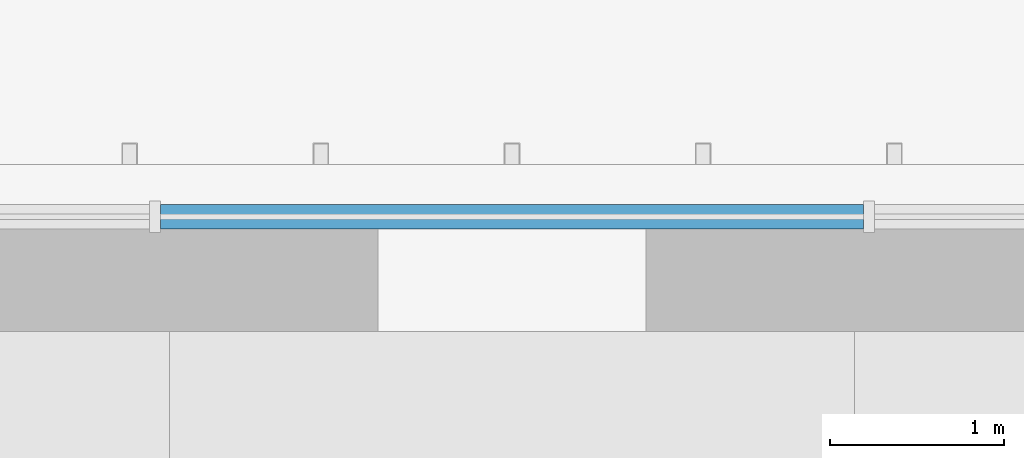
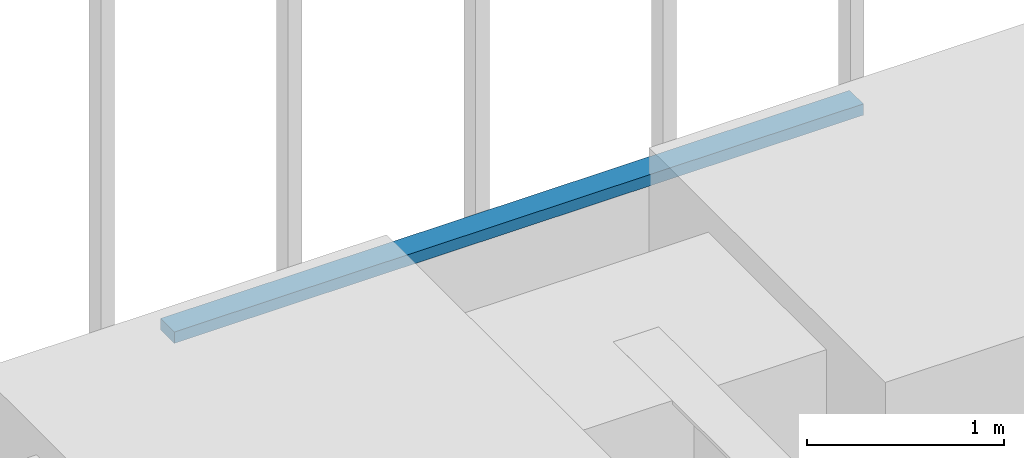
# One storey, part 173 of 238: 1 member, 1 element without a shape of its own.
"""IFC4 building model written with IfcOpenShell, lengths in metres."""

from ifc_helpers import new_model, si_unit, direction, frame, origin, origin_2d, place, context, subcontext, project, spatial, rectangle, extrude, material, material_profile, profile_set, type_object, element, aggregate, save


model = new_model("IFC4")

# Units and contexts
model_context = context("Model", 3, precision=1e-05, world=origin(), true_north=direction((0.0, 1.0)))
body_context = subcontext(model_context, "Body", "Model", "MODEL_VIEW")
ifc_project = project(units=[si_unit("LENGTHUNIT", "METRE"), si_unit("AREAUNIT", "SQUARE_METRE"), si_unit("VOLUMEUNIT", "CUBIC_METRE"), si_unit("PLANEANGLEUNIT", "RADIAN"), si_unit("MASSUNIT", "GRAM", prefix="KILO")], contexts=[model_context])

# Site, building, storey
site_placement = place(None, origin())
site = spatial("IfcSite", under=ifc_project, at=site_placement, CompositionType="ELEMENT")
building_placement = place(site_placement, origin())
building = spatial("IfcBuilding", under=site, at=building_placement, Name="Sandreach Pilgrim Tower", CompositionType="ELEMENT")
storey_placement = place(building_placement, frame((0.0, 0.0, 96.800048828125)))
storey = spatial("IfcBuildingStorey", under=building, at=storey_placement, Name="L23", CompositionType="ELEMENT", Elevation=96.800048828125)

# Curtain wall, member
ifc_material_1 = material(Name="Aluminium framed curtain wall", Category="aluminium")
curtain_wall_type = type_object("IfcCurtainWallType", Name="Hotel tower curtain wall", PredefinedType="NOTDEFINED", material=ifc_material_1)
curtain_wall_placement = place(storey_placement, origin())
curtain_wall = element("IfcCurtainWall", 1, at=curtain_wall_placement, inside=storey, type_object=curtain_wall_type, Name="CW-2 L23 N", PredefinedType="NOTDEFINED")
ifc_material_2 = material(Name="Aluminium extrusion", Category="aluminium")
ifc_material_profile = material_profile(ifc_material_2, rectangle(XDim=0.139892578125, YDim=0.070068359375, at=origin_2d()), Name="CW-2T 140X70")
ifc_profile_set = profile_set([ifc_material_profile], Name="Aluminium extrusion")
member_type = type_object("IfcMemberType", Name="CW-2 transom", PredefinedType="USERDEFINED", material=ifc_profile_set)
member_placement = place(storey_placement, frame((-2.02099609375, 22.493896484375, 3.60498046875), z_axis=(1.0, 0.0, 0.0), x_axis=(0.0, 1.0, 0.0)))
member = element("IfcMember", 2, at=member_placement, type_object=member_type, Name="CW-2 head transom 5", ObjectType="TRANSOM", PredefinedType="USERDEFINED", context=body_context, shape_type="SweptSolid", body=[
    extrude(rectangle(XDim=0.139892578125, YDim=0.070068359375, at=origin_2d()), origin(), (0.0, 0.0, 1.0), 4.0419921875),
])
aggregate(curtain_wall, [member])

save(model, "model.ifc")
